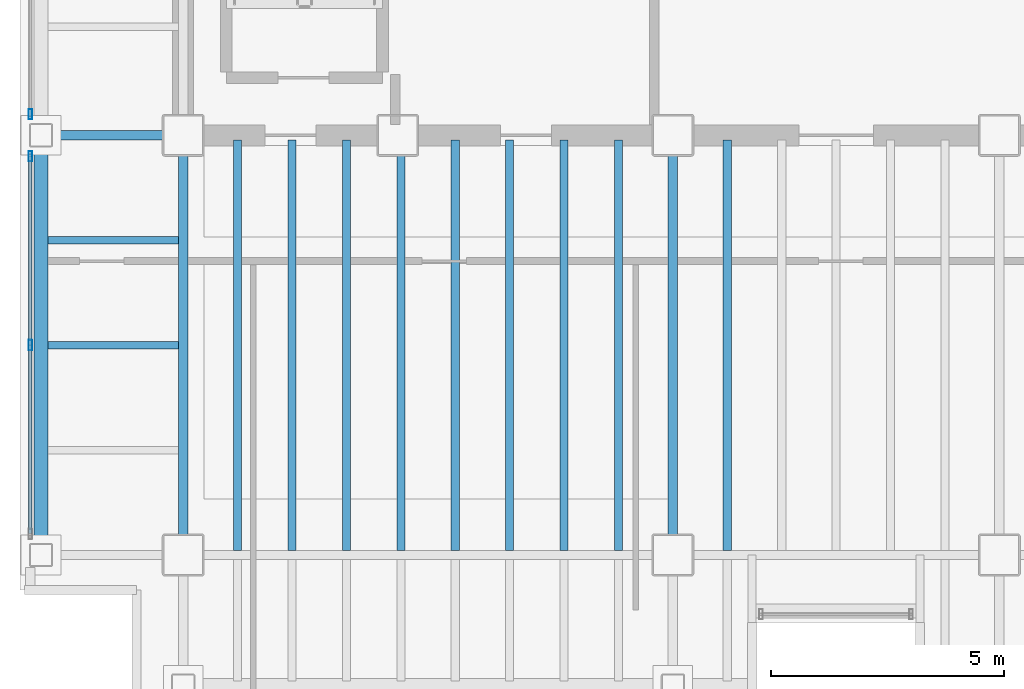
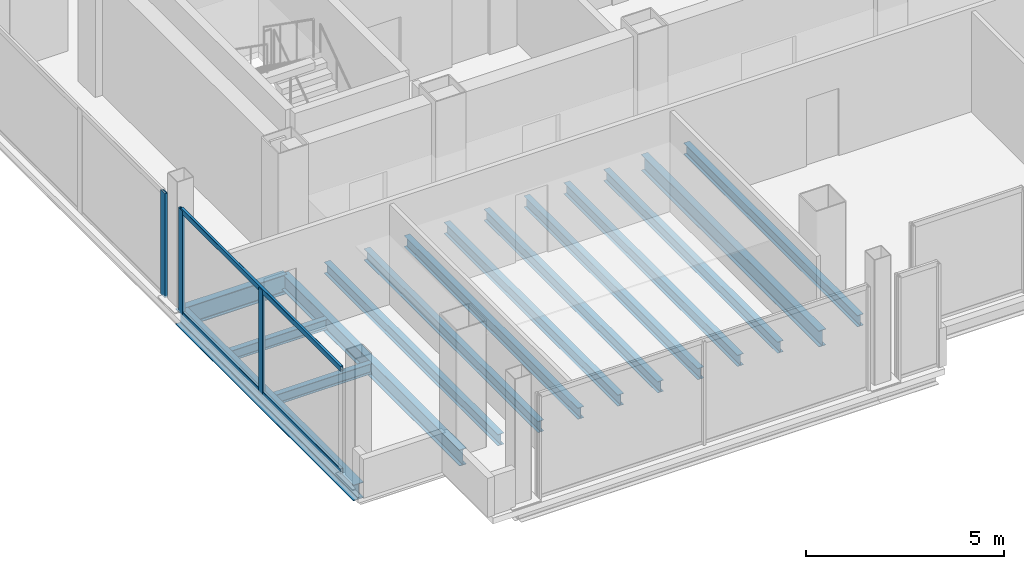
# One storey, part 3 of 16: 15 beams, 5 members, 2 elements without a shape of their own.
"""IFC4 building model written with IfcOpenShell, lengths in metres."""

from ifc_helpers import new_model, si_unit, direction, frame, origin, origin_2d, place, context, subcontext, project, spatial, hollow_rectangle, i_section, extrude, material, material_profile, profile_set, type_object, element, aggregate, save


model = new_model("IFC4")

# Units and contexts
model_context = context("Model", 3, precision=1e-05, world=origin(), true_north=direction((0.0, 1.0)))
body_context = subcontext(model_context, "Body", "Model", "MODEL_VIEW")
ifc_project = project(units=[si_unit("LENGTHUNIT", "METRE"), si_unit("AREAUNIT", "SQUARE_METRE"), si_unit("VOLUMEUNIT", "CUBIC_METRE"), si_unit("PLANEANGLEUNIT", "RADIAN"), si_unit("MASSUNIT", "GRAM", prefix="KILO")], contexts=[model_context])

# Site, building, storey
site_placement = place(None, origin())
site = spatial("IfcSite", under=ifc_project, at=site_placement, CompositionType="ELEMENT")
building_placement = place(site_placement, origin())
building = spatial("IfcBuilding", under=site, at=building_placement, Name="Noeulbin Bourse Tower", CompositionType="ELEMENT")
storey_placement = place(building_placement, frame((0.0, 0.0, 185.10009765625)))
storey = spatial("IfcBuildingStorey", under=building, at=storey_placement, Name="L46", CompositionType="ELEMENT", Elevation=185.10009765625)

# Beams
ifc_material_1 = material(Name="Steel S355", Category="steel")
ifc_material_profile_1 = material_profile(ifc_material_1, i_section(OverallWidth=0.199951171875, OverallDepth=0.5, WebThickness=0.010009765625, FlangeThickness=0.01611328125, FilletRadius=0.02001953125, at=origin_2d()), Name="H-500x200x10x16", Category="LoadBearing")
ifc_profile_set_1 = profile_set([ifc_material_profile_1], Name="Steel S355")
beam_type_1 = type_object("IfcBeamType", Name="BM-GRD-500", PredefinedType="USERDEFINED", material=ifc_profile_set_1)
for number, where, z_axis, x_axis, name in (
    (1, (13.5, 20.0, -0.43017578125), (0.0, 1.0, 0.0), (-1.0, 0.0, 0.0), "Tower Primary Girder NS L46-1.2"),
    (2, (24.0, 20.0, -0.43017578125), (0.0, 1.0, 0.0), (-1.0, 0.0, 0.0), "Tower Primary Girder NS L46-2.2"),
):
    element("IfcBeam", number, at=place(storey_placement, frame(where, z_axis=z_axis, x_axis=x_axis)), inside=storey, type_object=beam_type_1, Name=name, ObjectType="GIRDER", PredefinedType="USERDEFINED", context=body_context, shape_type="SweptSolid", body=[
        extrude(i_section(OverallWidth=0.199951171875, OverallDepth=0.5, WebThickness=0.010009765625, FlangeThickness=0.01611328125, FilletRadius=0.02001953125, at=origin_2d()), origin(), (0.0, 0.0, 1.0), 9.0),
    ])
ifc_material_profile_2 = material_profile(ifc_material_1, i_section(OverallWidth=0.199951171875, OverallDepth=0.60009765625, WebThickness=0.010986328125, FlangeThickness=0.01708984375, FilletRadius=0.02197265625, at=origin_2d()), Name="H-600x200x11x17", Category="LoadBearing")
ifc_profile_set_2 = profile_set([ifc_material_profile_2], Name="Steel S355")
beam_type_2 = type_object("IfcBeamType", Name="BM-GRD-600", PredefinedType="USERDEFINED", material=ifc_profile_set_2)
beam_1_placement = place(storey_placement, frame((10.449951171875, 29.0, -0.47998046875), z_axis=(1.0, 0.0, 0.0), x_axis=(0.0, 1.0, 0.0)))
element("IfcBeam", 3, at=beam_1_placement, inside=storey, type_object=beam_type_2, Name="Tower Primary Girder EW L46-2.1", ObjectType="GIRDER", PredefinedType="USERDEFINED", context=body_context, shape_type="SweptSolid", body=[
    extrude(i_section(OverallWidth=0.199951171875, OverallDepth=0.60009765625, WebThickness=0.010986328125, FlangeThickness=0.01708984375, FilletRadius=0.02197265625, at=origin_2d()), origin(), (0.0, 0.0, 1.0), 3.050048828125),
])
ifc_material_profile_3 = material_profile(ifc_material_1, i_section(OverallWidth=0.159912109375, OverallDepth=0.320068359375, WebThickness=0.006591796875, FlangeThickness=0.010009765625, FilletRadius=0.012939453125, at=origin_2d()), Name="H-320x160x6.5x10", Category="LoadBearing")
ifc_profile_set_3 = profile_set([ifc_material_profile_3], Name="Steel S355")
beam_type_3 = type_object("IfcBeamType", Name="BM-JST-320", PredefinedType="JOIST", material=ifc_profile_set_3)
for number, where, z_axis, x_axis, name in (
    (4, (10.60009765625, 24.5, -0.340087890625), (1.0, 0.0, 0.0), (0.0, 1.0, 0.0), "Wing Composite Joist L46-W68"),
    (5, (10.60009765625, 26.75, -0.340087890625), (1.0, 0.0, 0.0), (0.0, 1.0, 0.0), "Wing Composite Joist L46-W69"),
):
    element("IfcBeam", number, at=place(storey_placement, frame(where, z_axis=z_axis, x_axis=x_axis)), inside=storey, type_object=beam_type_3, Name=name, PredefinedType="JOIST", context=body_context, shape_type="SweptSolid", body=[
        extrude(i_section(OverallWidth=0.159912109375, OverallDepth=0.320068359375, WebThickness=0.006591796875, FlangeThickness=0.010009765625, FilletRadius=0.012939453125, at=origin_2d()), origin(), (0.0, 0.0, 1.0), 2.7998046875),
    ])
ifc_material_profile_4 = material_profile(ifc_material_1, i_section(OverallWidth=0.175048828125, OverallDepth=0.35009765625, WebThickness=0.007080078125, FlangeThickness=0.010986328125, FilletRadius=0.013916015625, at=origin_2d()), Name="H-350x175x7x11", Category="LoadBearing")
ifc_profile_set_4 = profile_set([ifc_material_profile_4], Name="Steel S355")
beam_type_4 = type_object("IfcBeamType", Name="BM-JST-350", PredefinedType="JOIST", material=ifc_profile_set_4)
for number, where, z_axis, x_axis, name in (
    (6, (14.666748046875, 20.10009765625, -0.35498046875), (0.0, 1.0, 0.0), (-1.0, 0.0, 0.0), "Tower Composite Joist L46-02"),
    (7, (15.833251953125, 20.10009765625, -0.35498046875), (0.0, 1.0, 0.0), (-1.0, 0.0, 0.0), "Tower Composite Joist L46-05"),
    (8, (17.0, 20.10009765625, -0.35498046875), (0.0, 1.0, 0.0), (-1.0, 0.0, 0.0), "Tower Composite Joist L46-08"),
    (9, (18.166748046875, 20.10009765625, -0.35498046875), (0.0, 1.0, 0.0), (-1.0, 0.0, 0.0), "Tower Composite Joist L46-11"),
    (10, (19.333251953125, 20.10009765625, -0.35498046875), (0.0, 1.0, 0.0), (-1.0, 0.0, 0.0), "Tower Composite Joist L46-14"),
    (11, (20.5, 20.10009765625, -0.35498046875), (0.0, 1.0, 0.0), (-1.0, 0.0, 0.0), "Tower Composite Joist L46-17"),
    (12, (21.666748046875, 20.10009765625, -0.35498046875), (0.0, 1.0, 0.0), (-1.0, 0.0, 0.0), "Tower Composite Joist L46-20"),
    (13, (22.833251953125, 20.10009765625, -0.35498046875), (0.0, 1.0, 0.0), (-1.0, 0.0, 0.0), "Tower Composite Joist L46-23"),
    (14, (25.166748046875, 20.10009765625, -0.35498046875), (0.0, 1.0, 0.0), (-1.0, 0.0, 0.0), "Tower Composite Joist L46-26"),
):
    element("IfcBeam", number, at=place(storey_placement, frame(where, z_axis=z_axis, x_axis=x_axis)), inside=storey, type_object=beam_type_4, Name=name, PredefinedType="JOIST", context=body_context, shape_type="SweptSolid", body=[
        extrude(i_section(OverallWidth=0.175048828125, OverallDepth=0.35009765625, WebThickness=0.007080078125, FlangeThickness=0.010986328125, FilletRadius=0.013916015625, at=origin_2d()), origin(), (0.0, 0.0, 1.0), 8.7998046875),
    ])
ifc_material_profile_5 = material_profile(ifc_material_1, i_section(OverallWidth=0.300048828125, OverallDepth=0.488037109375, WebThickness=0.010986328125, FlangeThickness=0.01806640625, FilletRadius=0.02197265625, at=origin_2d()), Name="H-488x300x11x18", Category="LoadBearing")
ifc_profile_set_5 = profile_set([ifc_material_profile_5], Name="Steel S355")
beam_type_5 = type_object("IfcBeamType", Name="BM-SPN-488", PredefinedType="SPANDREL", material=ifc_profile_set_5)
beam_2_placement = place(storey_placement, frame((10.449951171875, 20.0, -0.424072265625), z_axis=(0.0, 1.0, 0.0), x_axis=(-1.0, 0.0, 0.0)))
element("IfcBeam", 15, at=beam_2_placement, inside=storey, type_object=beam_type_5, Name="West Spandrel L46-1", PredefinedType="SPANDREL", context=body_context, shape_type="SweptSolid", body=[
    extrude(i_section(OverallWidth=0.300048828125, OverallDepth=0.488037109375, WebThickness=0.010986328125, FlangeThickness=0.01806640625, FilletRadius=0.02197265625, at=origin_2d()), origin(), (0.0, 0.0, 1.0), 9.0),
])

# Curtain wall, members
ifc_material_2 = material(Name="Dark Tinted Triple Glazing", Category="glass")
curtain_wall_type = type_object("IfcCurtainWallType", Name="CW-SYS-3", PredefinedType="NOTDEFINED", material=ifc_material_2)
curtain_wall_1_placement = place(storey_placement, origin())
curtain_wall_1 = element("IfcCurtainWall", 16, at=curtain_wall_1_placement, inside=storey, type_object=curtain_wall_type, Name="Unitised Curtain Wall CW-L46-W-S1", PredefinedType="NOTDEFINED")
ifc_material_3 = material(Name="Anodised Aluminium 6063-T6", Category="aluminium")
ifc_material_profile_6 = material_profile(ifc_material_3, hollow_rectangle(XDim=0.074951171875, YDim=0.219970703125, WallThickness=0.0048828125, InnerFilletRadius=0.00244140625, OuterFilletRadius=0.0048828125, at=origin_2d()), Name="ALU-MULL-75x220x5", Category="LoadBearing")
ifc_profile_set_6 = profile_set([ifc_material_profile_6], Name="Anodised Aluminium 6063-T6")
member_type_1 = type_object("IfcMemberType", Name="CW-SYS-3-MUL", PredefinedType="MULLION", material=ifc_profile_set_6)
member_1_placement = place(storey_placement, frame((10.219970703125, 24.5, -0.02001953125), z_axis=(0.0, 0.0, 1.0), x_axis=(1.0, 0.0, 0.0)))
member_1 = element("IfcMember", 17, at=member_1_placement, type_object=member_type_1, Name="Curtain Wall Mullion CW-L46-W-S1-M01", PredefinedType="MULLION", context=body_context, shape_type="SweptSolid", body=[
    extrude(hollow_rectangle(XDim=0.074951171875, YDim=0.219970703125, WallThickness=0.0048828125, InnerFilletRadius=0.00244140625, OuterFilletRadius=0.0048828125, at=origin_2d()), origin(), (0.0, 0.0, 1.0), 3.219970703125),
])
member_2_placement = place(storey_placement, frame((10.219970703125, 28.550048828125, -0.02001953125), z_axis=(0.0, 0.0, 1.0), x_axis=(1.0, 0.0, 0.0)))
member_2 = element("IfcMember", 18, at=member_2_placement, type_object=member_type_1, Name="Curtain Wall Mullion CW-L46-W-S1-M02", PredefinedType="MULLION", context=body_context, shape_type="SweptSolid", body=[
    extrude(hollow_rectangle(XDim=0.074951171875, YDim=0.219970703125, WallThickness=0.0048828125, InnerFilletRadius=0.00244140625, OuterFilletRadius=0.0048828125, at=origin_2d()), origin(), (0.0, 0.0, 1.0), 3.219970703125),
])

# Curtain wall, member
curtain_wall_2_placement = place(storey_placement, origin())
curtain_wall_2 = element("IfcCurtainWall", 19, at=curtain_wall_2_placement, inside=storey, type_object=curtain_wall_type, Name="Unitised Curtain Wall CW-L46-W-S2", PredefinedType="NOTDEFINED")
member_3_placement = place(storey_placement, frame((10.219970703125, 29.449951171875, -0.02001953125), z_axis=(0.0, 0.0, 1.0), x_axis=(1.0, 0.0, 0.0)))
member_3 = element("IfcMember", 20, at=member_3_placement, type_object=member_type_1, Name="Curtain Wall Mullion CW-L46-W-S2-M00", PredefinedType="MULLION", context=body_context, shape_type="SweptSolid", body=[
    extrude(hollow_rectangle(XDim=0.074951171875, YDim=0.219970703125, WallThickness=0.0048828125, InnerFilletRadius=0.00244140625, OuterFilletRadius=0.0048828125, at=origin_2d()), origin(), (0.0, 0.0, 1.0), 3.219970703125),
])
aggregate(curtain_wall_2, [member_3])

# Member
ifc_material_profile_7 = material_profile(ifc_material_3, hollow_rectangle(XDim=0.074951171875, YDim=0.159912109375, WallThickness=0.0048828125, InnerFilletRadius=0.00244140625, OuterFilletRadius=0.0048828125, at=origin_2d()), Name="ALU-TRAN-75x160x5", Category="LoadBearing")
ifc_profile_set_7 = profile_set([ifc_material_profile_7], Name="Anodised Aluminium 6063-T6")
member_type_2 = type_object("IfcMemberType", Name="CW-SYS-3-TRN", PredefinedType="USERDEFINED", material=ifc_profile_set_7)
member_4_placement = place(storey_placement, frame((10.219970703125, 20.4599609375, 0.010009765625), z_axis=(0.0, 1.0, 0.0), x_axis=(-1.0, 0.0, 0.0)))
member_4 = element("IfcMember", 21, at=member_4_placement, type_object=member_type_2, Name="Curtain Wall Transom CW-L46-W-S1-T00", ObjectType="TRANSOM", PredefinedType="USERDEFINED", context=body_context, shape_type="SweptSolid", body=[
    extrude(hollow_rectangle(XDim=0.074951171875, YDim=0.159912109375, WallThickness=0.0048828125, InnerFilletRadius=0.00244140625, OuterFilletRadius=0.0048828125, at=origin_2d()), origin(), (0.0, 0.0, 1.0), 8.080078125),
])

member_5_placement = place(storey_placement, frame((10.219970703125, 20.4599609375, 3.169921875), z_axis=(0.0, 1.0, 0.0), x_axis=(-1.0, 0.0, 0.0)))
member_5 = element("IfcMember", 22, at=member_5_placement, type_object=member_type_2, Name="Curtain Wall Transom CW-L46-W-S1-T01", ObjectType="TRANSOM", PredefinedType="USERDEFINED", context=body_context, shape_type="SweptSolid", body=[
    extrude(hollow_rectangle(XDim=0.074951171875, YDim=0.159912109375, WallThickness=0.0048828125, InnerFilletRadius=0.00244140625, OuterFilletRadius=0.0048828125, at=origin_2d()), origin(), (0.0, 0.0, 1.0), 8.080078125),
])

aggregate(curtain_wall_1, [member_1, member_2, member_4, member_5])

save(model, "model.ifc")
